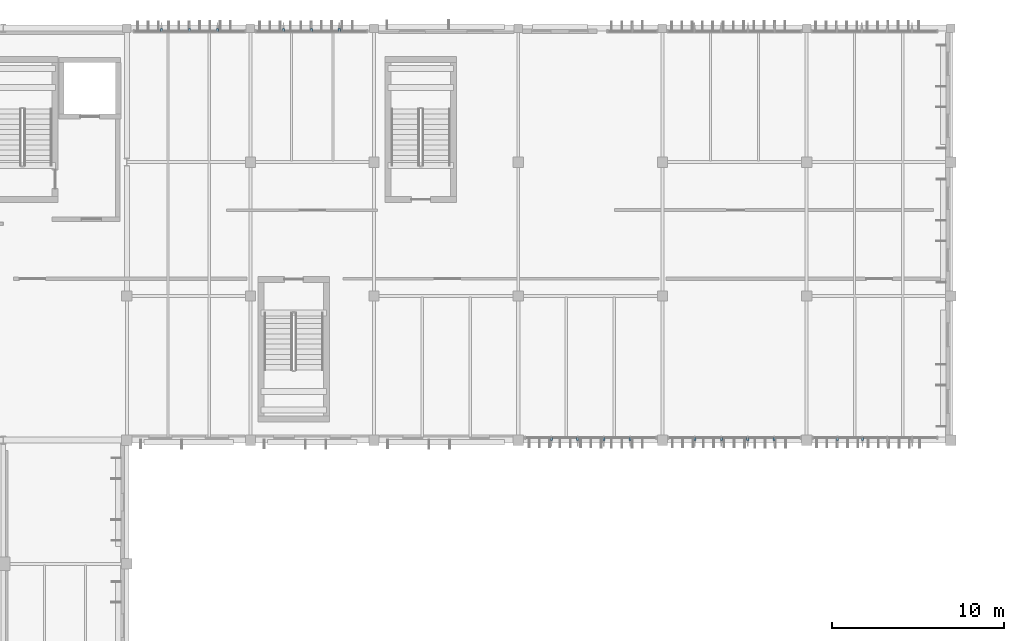
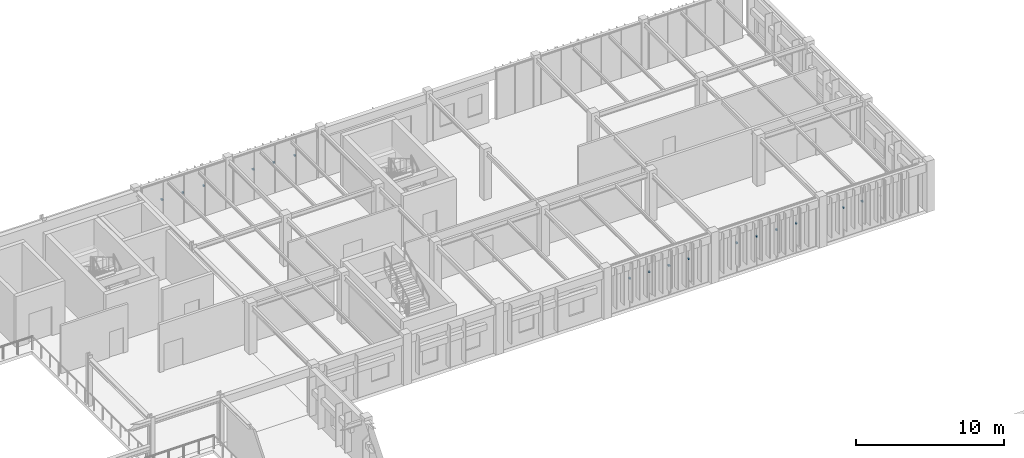
# One storey, part 54 of 104: 16 discrete accessories.
"""IFC4 building model written with IfcOpenShell, lengths in metres."""

from ifc_helpers import new_model, si_unit, direction, frame, origin, origin_2d, place, context, subcontext, project, spatial, rectangle, extrude, material, type_object, element, save


model = new_model("IFC4")

# Units and contexts
model_context = context("Model", 3, precision=1e-05, world=origin(), true_north=direction((0.0, 1.0)))
body_context = subcontext(model_context, "Body", "Model", "MODEL_VIEW")
ifc_project = project(units=[si_unit("LENGTHUNIT", "METRE"), si_unit("AREAUNIT", "SQUARE_METRE"), si_unit("VOLUMEUNIT", "CUBIC_METRE"), si_unit("PLANEANGLEUNIT", "RADIAN"), si_unit("MASSUNIT", "GRAM", prefix="KILO")], contexts=[model_context])

# Site, building, storey
site_placement = place(None, origin())
site = spatial("IfcSite", under=ifc_project, at=site_placement, CompositionType="ELEMENT")
building_placement = place(site_placement, origin())
building = spatial("IfcBuilding", under=site, at=building_placement, Name="Tazoul Stagehouse", CompositionType="ELEMENT")
storey_placement = place(building_placement, frame((0.0, 0.0, 9.0)))
storey = spatial("IfcBuildingStorey", under=building, at=storey_placement, Name="L02", CompositionType="ELEMENT", Elevation=9.0)

# Discrete accessories
ifc_material = material(Name="Austenitic Stainless Steel EN 1.4401", Category="steel")
discrete_accessory_type = type_object("IfcDiscreteAccessoryType", Name="Stainless Steel Louvre Support Cleat Bracket", PredefinedType="BRACKET", material=ifc_material)
for number, where, z_axis, x_axis, name in (
    (1, (104.625, 111.699951171875, 2.359130859375), (0.0, 0.0, 1.0), (1.0, 0.0, 0.0), "Cleat Bracket BRK-01 CW-V3-N1-L02-B1-BRK01"),
    (2, (106.25, 111.699951171875, 2.359130859375), (0.0, 0.0, 1.0), (1.0, 0.0, 0.0), "Cleat Bracket BRK-01 CW-V3-N1-L02-B1-BRK02"),
    (3, (107.875, 111.699951171875, 2.359130859375), (0.0, 0.0, 1.0), (1.0, 0.0, 0.0), "Cleat Bracket BRK-01 CW-V3-N1-L02-B1-BRK03"),
    (4, (111.72509765625, 111.699951171875, 2.359130859375), (0.0, 0.0, 1.0), (1.0, 0.0, 0.0), "Cleat Bracket BRK-01 CW-V3-N1-L02-B2-BRK01"),
    (5, (113.35009765625, 111.699951171875, 2.359130859375), (0.0, 0.0, 1.0), (1.0, 0.0, 0.0), "Cleat Bracket BRK-01 CW-V3-N1-L02-B2-BRK02"),
    (6, (114.97509765625, 111.699951171875, 2.359130859375), (0.0, 0.0, 1.0), (1.0, 0.0, 0.0), "Cleat Bracket BRK-01 CW-V3-N1-L02-B2-BRK03"),
    (7, (127.330078125, 87.8701171875, 2.359130859375), (0.0, 0.0, 1.0), (1.0, 0.0, 0.0), "Cleat Bracket BRK-01 CW-V3-S2-L02-B1-BRK01"),
    (8, (128.860107421875, 87.8701171875, 2.359130859375), (0.0, 0.0, 1.0), (1.0, 0.0, 0.0), "Cleat Bracket BRK-01 CW-V3-S2-L02-B1-BRK02"),
    (9, (130.389892578125, 87.8701171875, 2.359130859375), (0.0, 0.0, 1.0), (1.0, 0.0, 0.0), "Cleat Bracket BRK-01 CW-V3-S2-L02-B1-BRK03"),
    (10, (131.919921875, 87.8701171875, 2.359130859375), (0.0, 0.0, 1.0), (1.0, 0.0, 0.0), "Cleat Bracket BRK-01 CW-V3-S2-L02-B1-BRK04"),
    (11, (135.68994140625, 87.8701171875, 2.359130859375), (0.0, 0.0, 1.0), (1.0, 0.0, 0.0), "Cleat Bracket BRK-01 CW-V3-S2-L02-B2-BRK01"),
    (12, (137.22998046875, 87.8701171875, 2.359130859375), (0.0, 0.0, 1.0), (1.0, 0.0, 0.0), "Cleat Bracket BRK-01 CW-V3-S2-L02-B2-BRK02"),
    (13, (138.77001953125, 87.8701171875, 2.359130859375), (0.0, 0.0, 1.0), (1.0, 0.0, 0.0), "Cleat Bracket BRK-01 CW-V3-S2-L02-B2-BRK03"),
    (14, (140.31005859375, 87.8701171875, 2.359130859375), (0.0, 0.0, 1.0), (1.0, 0.0, 0.0), "Cleat Bracket BRK-01 CW-V3-S2-L02-B2-BRK04"),
    (15, (144.0, 87.8701171875, 2.359130859375), (0.0, 0.0, 1.0), (1.0, 0.0, 0.0), "Cleat Bracket BRK-01 CW-V3-S2-L02-B3-BRK01"),
    (16, (145.449951171875, 87.8701171875, 2.359130859375), (0.0, 0.0, 1.0), (1.0, 0.0, 0.0), "Cleat Bracket BRK-01 CW-V3-S2-L02-B3-BRK02"),
):
    element("IfcDiscreteAccessory", number, at=place(storey_placement, frame(where, z_axis=z_axis, x_axis=x_axis)), inside=storey, type_object=discrete_accessory_type, Name=name, PredefinedType="BRACKET", context=body_context, shape_type="SweptSolid", body=[
        extrude(rectangle(XDim=0.1201171875, YDim=0.159912109375, at=origin_2d()), origin(), (0.0, 0.0, 1.0), 0.1201171875),
    ])

save(model, "model.ifc")
